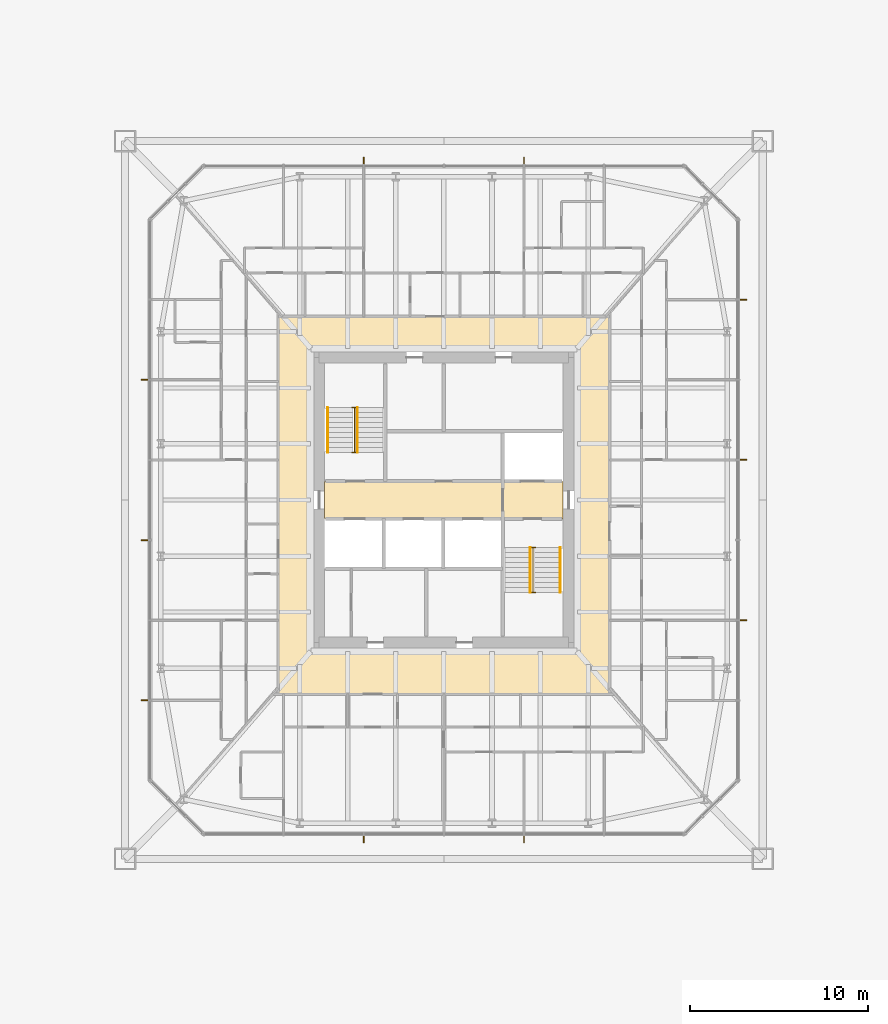
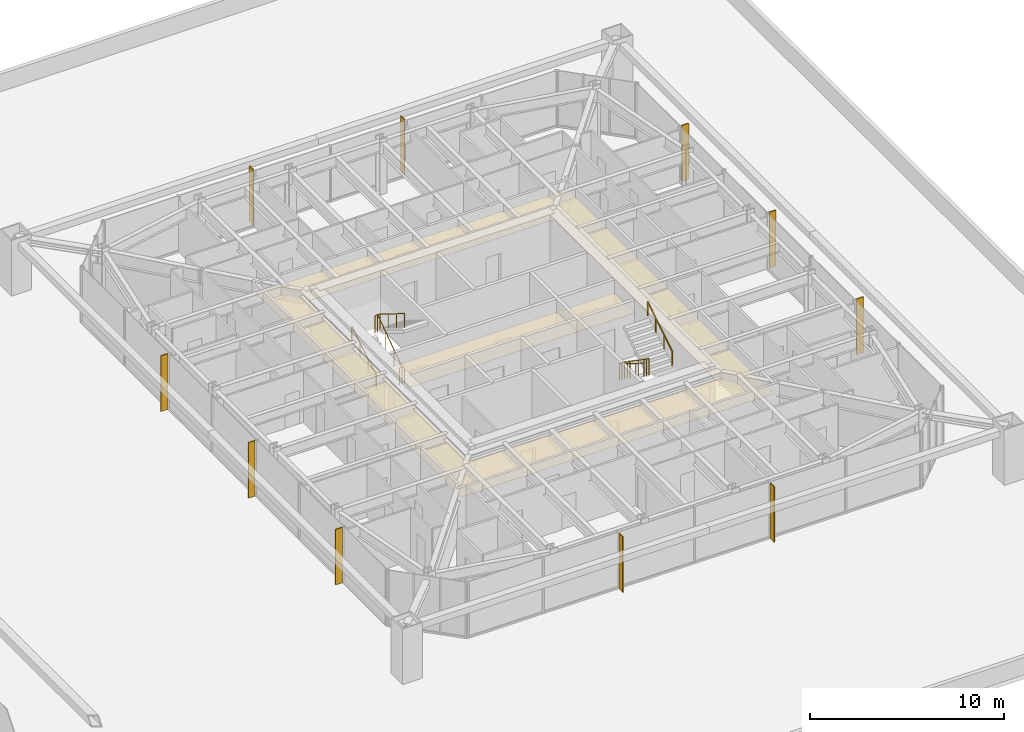
# One storey, part 31 of 31: 10 shading devices, 6 railings, 3 coverings.
"""IFC4 building model written with IfcOpenShell, lengths in metres."""

from ifc_helpers import new_model, si_unit, direction, frame, origin, origin_2d, place, context, subcontext, project, spatial, polyline, rectangle, circle, outline, extrude, material, layer, layer_set, constituent, constituent_set, type_object, element, save


model = new_model("IFC4")

# Units and contexts
model_context = context("Model", 3, precision=1e-05, world=origin(), true_north=direction((0.0, 1.0)))
body_context = subcontext(model_context, "Body", "Model", "MODEL_VIEW")
ifc_project = project(units=[si_unit("LENGTHUNIT", "METRE"), si_unit("AREAUNIT", "SQUARE_METRE"), si_unit("VOLUMEUNIT", "CUBIC_METRE"), si_unit("PLANEANGLEUNIT", "RADIAN"), si_unit("MASSUNIT", "GRAM", prefix="KILO")], contexts=[model_context])

# Site, building, storey
site_placement = place(None, origin())
site = spatial("IfcSite", under=ifc_project, at=site_placement, CompositionType="ELEMENT")
building_placement = place(site_placement, origin())
building = spatial("IfcBuilding", under=site, at=building_placement, Name="Iwan Alto Co-Living Towers", CompositionType="ELEMENT")
storey_placement = place(building_placement, frame((0.0, 0.0, 15.0)))
storey = spatial("IfcBuildingStorey", under=building, at=storey_placement, Name="L03", CompositionType="ELEMENT", Elevation=15.0)

# Coverings
ifc_material_1 = material(Name="Mineral fibre acoustic tiles on steel grid", Category="steel")
ifc_layer_1 = layer(ifc_material_1, 0.02001953125)
ifc_layer_set_1 = layer_set([ifc_layer_1], Name="ACOUSTIC TILE CEILING 20")
covering_type_1 = type_object("IfcCoveringType", Name="ACOUSTIC TILE CEILING 20", PredefinedType="CEILING", material=ifc_layer_set_1)
covering_1_placement = place(storey_placement, frame((0.0, 0.0, 2.60009765625)))
element("IfcCovering", 1, at=covering_1_placement, inside=storey, type_object=covering_type_1, Name="Ceiling Lift lobby L03", PredefinedType="CEILING", context=body_context, shape_type="SweptSolid", body=[
    extrude(outline(polyline([(56.300048828125, -1.050048828125), (56.300048828125, 1.050048828125), (66.300048828125, 1.050048828125), (66.300048828125, -1.050048828125), (56.300048828125, -1.050048828125)])), origin(), (0.0, 0.0, 1.0), 0.02001953125),
])
covering_2_placement = place(storey_placement, frame((0.0, 0.0, 2.60009765625)))
element("IfcCovering", 2, at=covering_2_placement, inside=storey, type_object=covering_type_1, Name="Ceiling Firefighting lobby L03", PredefinedType="CEILING", context=body_context, shape_type="SweptSolid", body=[
    extrude(outline(polyline([(66.300048828125, -1.050048828125), (66.300048828125, 1.050048828125), (69.699951171875, 1.050048828125), (69.699951171875, -1.050048828125), (66.300048828125, -1.050048828125)])), origin(), (0.0, 0.0, 1.0), 0.02001953125),
])

# Shading devices
ifc_material_2 = material(Name="Aluminium 6063-T6 bronze anodised", Category="aluminium")
ifc_layer_2 = layer(ifc_material_2, 0.050048828125)
ifc_layer_set_2 = layer_set([ifc_layer_2], Name="BRONZE FIN 50X400")
shading_device_type = type_object("IfcShadingDeviceType", Name="BRONZE FIN 50X400", PredefinedType="USERDEFINED", material=ifc_layer_set_2)
for number, where, z_axis, x_axis, name in (
    (3, (58.5, -19.050048828125, 0.0), (0.0, 0.0, 1.0), (1.0, 0.0, 0.0), "Bronze fin L03"),
    (4, (67.5, -19.050048828125, 0.0), (0.0, 0.0, 1.0), (1.0, 0.0, 0.0), "Bronze fin L03"),
    (5, (79.800048828125, -6.75, 0.0), (0.0, 0.0, 1.0), (0.0, 1.0, 0.0), "Bronze fin L03"),
    (6, (79.800048828125, 2.25, 0.0), (0.0, 0.0, 1.0), (0.0, 1.0, 0.0), "Bronze fin L03"),
    (7, (79.800048828125, 11.25, 0.0), (0.0, 0.0, 1.0), (0.0, 1.0, 0.0), "Bronze fin L03"),
    (8, (67.5, 19.050048828125, 0.0), (0.0, 0.0, 1.0), (-1.0, 0.0, 0.0), "Bronze fin L03"),
    (9, (58.5, 19.050048828125, 0.0), (0.0, 0.0, 1.0), (-1.0, 0.0, 0.0), "Bronze fin L03"),
    (10, (46.199951171875, 6.75, 0.0), (0.0, 0.0, 1.0), (0.0, -1.0, 0.0), "Bronze fin L03"),
    (11, (46.199951171875, -2.25, 0.0), (0.0, 0.0, 1.0), (0.0, -1.0, 0.0), "Bronze fin L03"),
    (12, (46.199951171875, -11.25, 0.0), (0.0, 0.0, 1.0), (0.0, -1.0, 0.0), "Bronze fin L03"),
):
    element("IfcShadingDevice", number, at=place(storey_placement, frame(where, z_axis=z_axis, x_axis=x_axis)), inside=storey, type_object=shading_device_type, Name=name, ObjectType="LOUVER", PredefinedType="USERDEFINED", context=body_context, shape_type="SweptSolid", body=[
        extrude(rectangle(XDim=0.050048828125, YDim=0.39990234375, at=origin_2d()), origin(), (0.0, 0.0, 1.0), 3.5),
    ])

# Railings
ifc_material_3 = material(Name="Steel ASTM A500 Gr C", Category="steel")
ifc_constituent_1 = constituent(ifc_material_3, Name="Rails and posts", Category="Framing")
ifc_material_4 = material(Name="Steel ASTM A36", Category="steel")
ifc_constituent_2 = constituent(ifc_material_4, Name="Bar infill", Category="Infill")
ifc_constituent_set = constituent_set(constituents=[ifc_constituent_1, ifc_constituent_2], Name="STAIR GUARD 1100")
railing_type_1 = type_object("IfcRailingType", Name="STAIR GUARD 1100", PredefinedType="GUARDRAIL", material=ifc_constituent_set)
railing_1_placement = place(storey_placement, frame((58.0, 2.669921875, 0.0)))
element("IfcRailing", 13, at=railing_1_placement, inside=storey, type_object=railing_type_1, Name="Stair T2-S1 well guard L03", PredefinedType="GUARDRAIL", context=body_context, shape_type="SweptSolid", body=[
    extrude(circle(Radius=0.02392578125, at=origin_2d()), frame((0.0, 0.0, 1.076171875), z_axis=(0.0, 0.821372036852, 0.570392826987), x_axis=(-1.0, 0.0, 0.0)), (0.0, 0.0, 1.0), 3.068115234375),
    extrude(circle(Radius=0.02392578125, at=origin_2d()), frame((-0.14990234375, 0.0, 1.076171875), z_axis=(1.0, 0.0, 0.0), x_axis=(0.0, 1.0, 0.0)), (0.0, 0.0, 1.0), 0.2998046875),
    extrude(circle(Radius=0.02392578125, at=origin_2d()), frame((-0.14990234375, 2.52001953125, 2.826171875), z_axis=(1.0, 0.0, 0.0), x_axis=(0.0, 1.0, 0.0)), (0.0, 0.0, 1.0), 0.2998046875),
    extrude(circle(Radius=0.02099609375, at=origin_2d()), origin(), (0.0, 0.0, 1.0), 1.052001953125),
    extrude(circle(Radius=0.02099609375, at=origin_2d()), frame((0.0, 0.840087890625, 0.583251953125)), (0.0, 0.0, 1.0), 1.052001953125),
    extrude(circle(Radius=0.02099609375, at=origin_2d()), frame((0.0, 1.679931640625, 1.166748046875)), (0.0, 0.0, 1.0), 1.052001953125),
    extrude(circle(Radius=0.02099609375, at=origin_2d()), frame((0.0, 2.52001953125, 1.75)), (0.0, 0.0, 1.0), 1.052001953125),
    extrude(circle(Radius=0.02099609375, at=origin_2d()), frame((-0.14990234375, 0.0, 0.0)), (0.0, 0.0, 1.0), 1.052001953125),
    extrude(circle(Radius=0.02099609375, at=origin_2d()), frame((0.14990234375, 0.0, 0.0)), (0.0, 0.0, 1.0), 1.052001953125),
    extrude(circle(Radius=0.02099609375, at=origin_2d()), frame((-0.14990234375, 2.52001953125, 1.75)), (0.0, 0.0, 1.0), 1.052001953125),
    extrude(circle(Radius=0.02099609375, at=origin_2d()), frame((0.14990234375, 2.52001953125, 1.75)), (0.0, 0.0, 1.0), 1.052001953125),
])
railing_2_placement = place(storey_placement, frame((68.0, -2.669921875, 0.0)))
element("IfcRailing", 14, at=railing_2_placement, inside=storey, type_object=railing_type_1, Name="Stair T2-S2 well guard L03", PredefinedType="GUARDRAIL", context=body_context, shape_type="SweptSolid", body=[
    extrude(circle(Radius=0.02392578125, at=origin_2d()), frame((0.0, 0.0, 1.076171875), z_axis=(0.0, -0.821372036852, 0.570392826987), x_axis=(1.0, 0.0, 0.0)), (0.0, 0.0, 1.0), 3.068115234375),
    extrude(circle(Radius=0.02392578125, at=origin_2d()), frame((-0.14990234375, 0.0, 1.076171875), z_axis=(1.0, 0.0, 0.0), x_axis=(0.0, 1.0, 0.0)), (0.0, 0.0, 1.0), 0.2998046875),
    extrude(circle(Radius=0.02392578125, at=origin_2d()), frame((-0.14990234375, -2.52001953125, 2.826171875), z_axis=(1.0, 0.0, 0.0), x_axis=(0.0, 1.0, 0.0)), (0.0, 0.0, 1.0), 0.2998046875),
    extrude(circle(Radius=0.02099609375, at=origin_2d()), origin(), (0.0, 0.0, 1.0), 1.052001953125),
    extrude(circle(Radius=0.02099609375, at=origin_2d()), frame((0.0, -0.840087890625, 0.583251953125)), (0.0, 0.0, 1.0), 1.052001953125),
    extrude(circle(Radius=0.02099609375, at=origin_2d()), frame((0.0, -1.679931640625, 1.166748046875)), (0.0, 0.0, 1.0), 1.052001953125),
    extrude(circle(Radius=0.02099609375, at=origin_2d()), frame((0.0, -2.52001953125, 1.75)), (0.0, 0.0, 1.0), 1.052001953125),
    extrude(circle(Radius=0.02099609375, at=origin_2d()), frame((-0.14990234375, 0.0, 0.0)), (0.0, 0.0, 1.0), 1.052001953125),
    extrude(circle(Radius=0.02099609375, at=origin_2d()), frame((0.14990234375, 0.0, 0.0)), (0.0, 0.0, 1.0), 1.052001953125),
    extrude(circle(Radius=0.02099609375, at=origin_2d()), frame((-0.14990234375, -2.52001953125, 1.75)), (0.0, 0.0, 1.0), 1.052001953125),
    extrude(circle(Radius=0.02099609375, at=origin_2d()), frame((0.14990234375, -2.52001953125, 1.75)), (0.0, 0.0, 1.0), 1.052001953125),
])
ifc_material_5 = material(Name="Steel ASTM A500 Gr C", Category="steel")
railing_type_2 = type_object("IfcRailingType", Name="STAIR HANDRAIL 900", PredefinedType="HANDRAIL", material=ifc_material_5)
railing_3_placement = place(storey_placement, frame((56.469970703125, 2.669921875, 0.175048828125)))
element("IfcRailing", 15, at=railing_3_placement, inside=storey, type_object=railing_type_2, Name="Stair T2-S1 handrail 1 L03", PredefinedType="HANDRAIL", context=body_context, shape_type="SweptSolid", body=[
    extrude(circle(Radius=0.02392578125, at=origin_2d()), frame((0.0, 0.0, 0.8759765625), z_axis=(0.0, 0.848007534815, 0.529984170421), x_axis=(-1.0, 0.0, 0.0)), (0.0, 0.0, 1.0), 2.9716796875),
    extrude(circle(Radius=0.02099609375, at=origin_2d()), origin(), (0.0, 0.0, 1.0), 0.851806640625),
    extrude(circle(Radius=0.02099609375, at=origin_2d()), frame((0.0, 0.840087890625, 0.52490234375)), (0.0, 0.0, 1.0), 0.851806640625),
    extrude(circle(Radius=0.02099609375, at=origin_2d()), frame((0.0, 1.679931640625, 1.050048828125)), (0.0, 0.0, 1.0), 0.851806640625),
    extrude(circle(Radius=0.02099609375, at=origin_2d()), frame((0.0, 2.52001953125, 1.574951171875)), (0.0, 0.0, 1.0), 0.851806640625),
])
for number, where, name in (
    (16, (58.14990234375, 5.18994140625, 1.925048828125), "Stair T2-S1 handrail 2 L03"),
    (17, (67.85009765625, -2.669921875, 0.175048828125), "Stair T2-S2 handrail 1 L03"),
):
    element("IfcRailing", number, at=place(storey_placement, frame(where)), inside=storey, type_object=railing_type_2, Name=name, PredefinedType="HANDRAIL", context=body_context, shape_type="SweptSolid", body=[
        extrude(circle(Radius=0.02392578125, at=origin_2d()), frame((0.0, 0.0, 0.8759765625), z_axis=(0.0, -0.848007534815, 0.529984170421), x_axis=(1.0, 0.0, 0.0)), (0.0, 0.0, 1.0), 2.9716796875),
        extrude(circle(Radius=0.02099609375, at=origin_2d()), origin(), (0.0, 0.0, 1.0), 0.851806640625),
        extrude(circle(Radius=0.02099609375, at=origin_2d()), frame((0.0, -0.840087890625, 0.52490234375)), (0.0, 0.0, 1.0), 0.851806640625),
        extrude(circle(Radius=0.02099609375, at=origin_2d()), frame((0.0, -1.679931640625, 1.050048828125)), (0.0, 0.0, 1.0), 0.851806640625),
        extrude(circle(Radius=0.02099609375, at=origin_2d()), frame((0.0, -2.52001953125, 1.574951171875)), (0.0, 0.0, 1.0), 0.851806640625),
    ])
railing_4_placement = place(storey_placement, frame((69.530029296875, -5.18994140625, 1.925048828125)))
element("IfcRailing", 18, at=railing_4_placement, inside=storey, type_object=railing_type_2, Name="Stair T2-S2 handrail 2 L03", PredefinedType="HANDRAIL", context=body_context, shape_type="SweptSolid", body=[
    extrude(circle(Radius=0.02392578125, at=origin_2d()), frame((0.0, 0.0, 0.8759765625), z_axis=(0.0, 0.848007534815, 0.529984170421), x_axis=(-1.0, 0.0, 0.0)), (0.0, 0.0, 1.0), 2.9716796875),
    extrude(circle(Radius=0.02099609375, at=origin_2d()), origin(), (0.0, 0.0, 1.0), 0.851806640625),
    extrude(circle(Radius=0.02099609375, at=origin_2d()), frame((0.0, 0.840087890625, 0.52490234375)), (0.0, 0.0, 1.0), 0.851806640625),
    extrude(circle(Radius=0.02099609375, at=origin_2d()), frame((0.0, 1.679931640625, 1.050048828125)), (0.0, 0.0, 1.0), 0.851806640625),
    extrude(circle(Radius=0.02099609375, at=origin_2d()), frame((0.0, 2.52001953125, 1.574951171875)), (0.0, 0.0, 1.0), 0.851806640625),
])

# Covering
ifc_material_6 = material(Name="Gypsum plasterboard on steel grid", Category="steel")
ifc_layer_3 = layer(ifc_material_6, 0.014892578125)
ifc_layer_set_3 = layer_set([ifc_layer_3], Name="SUSPENDED PLASTERBOARD CEILING 15")
covering_type_2 = type_object("IfcCoveringType", Name="SUSPENDED PLASTERBOARD CEILING 15", PredefinedType="CEILING", material=ifc_layer_set_3)
covering_3_placement = place(storey_placement, frame((0.0, 0.0, 2.60009765625)))
element("IfcCovering", 19, at=covering_3_placement, inside=storey, type_object=covering_type_2, Name="Ceiling Corridor L03", PredefinedType="CEILING", context=body_context, shape_type="SweptSolid", body=[
    extrude(outline(polyline([(53.699951171875, 10.300048828125), (72.300048828125, 10.300048828125), (72.300048828125, -10.89990234375), (53.699951171875, -10.89990234375), (53.699951171875, 10.300048828125)]), holes=[polyline([(55.699951171875, 8.300048828125), (55.699951171875, -8.300048828125), (70.300048828125, -8.300048828125), (70.300048828125, 8.300048828125), (55.699951171875, 8.300048828125)])]), origin(), (0.0, 0.0, 1.0), 0.014892578125),
])

save(model, "model.ifc")
